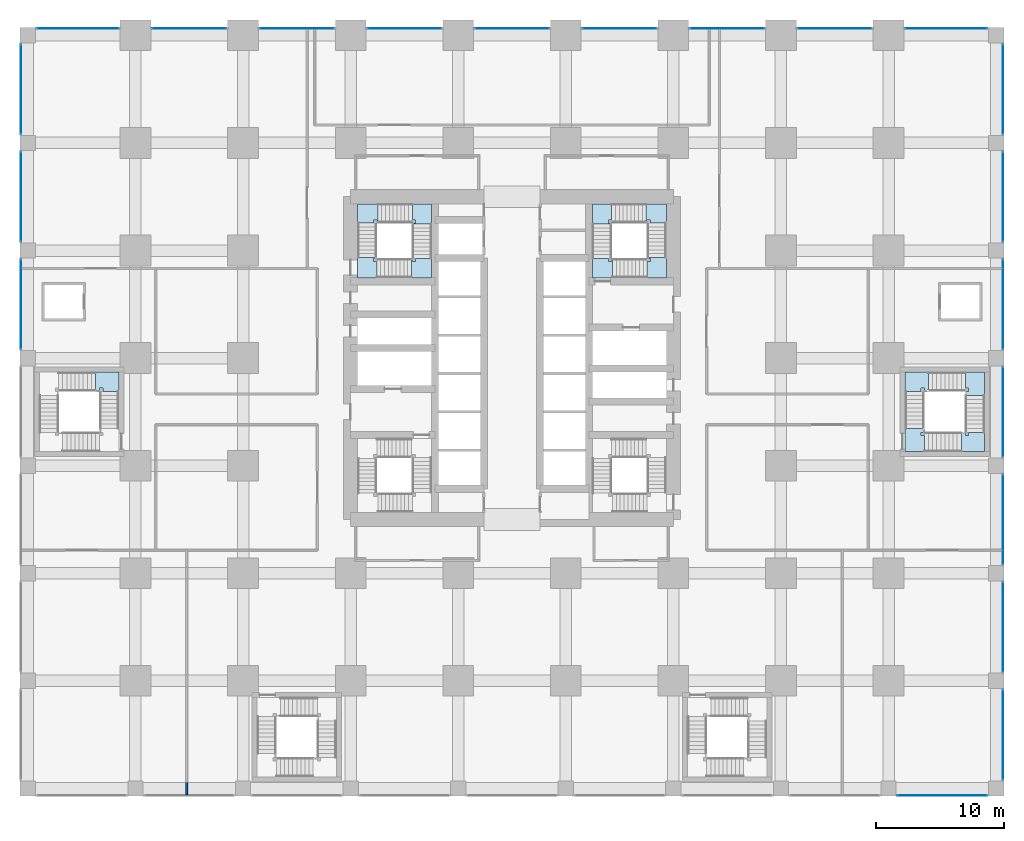
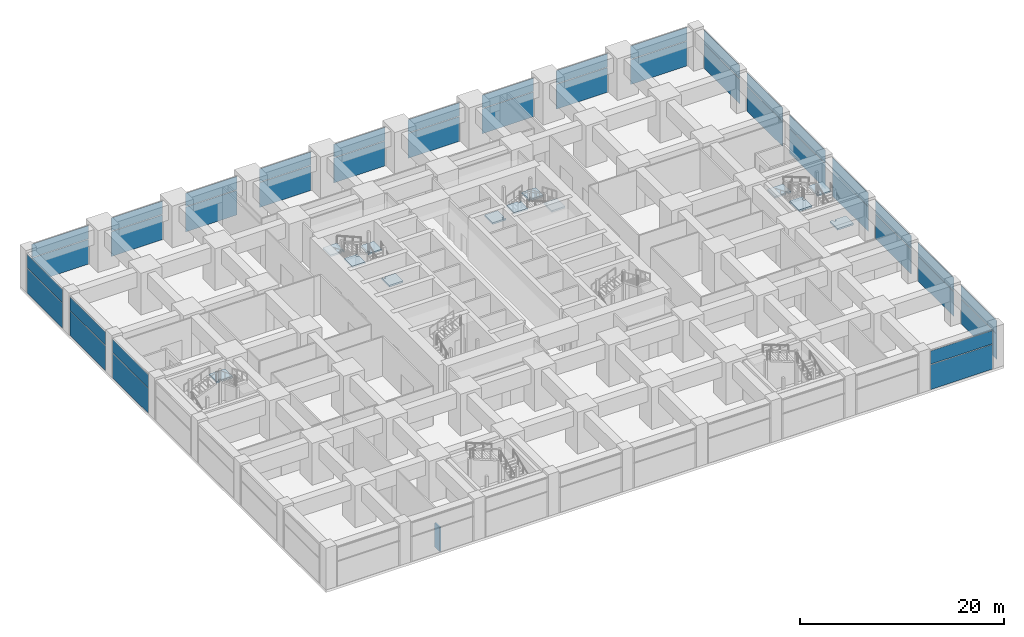
# One storey, part 35 of 49: 40 plates, 13 slabs, 1 wall, 24 elements without a shape of their own.
"""IFC4 building model written with IfcOpenShell, lengths in metres."""

from ifc_helpers import new_model, si_unit, direction, frame, frame_2d, origin, origin_2d, place, context, subcontext, project, spatial, polyline, rectangle, outline, extrude, material, layer, layer_set, type_object, element, aggregate, save


model = new_model("IFC4")

# Units and contexts
model_context = context("Model", 3, precision=1e-05, world=origin(), true_north=direction((0.0, 1.0)))
body_context = subcontext(model_context, "Body", "Model", "MODEL_VIEW")
ifc_project = project(units=[si_unit("LENGTHUNIT", "METRE"), si_unit("AREAUNIT", "SQUARE_METRE"), si_unit("VOLUMEUNIT", "CUBIC_METRE"), si_unit("PLANEANGLEUNIT", "RADIAN"), si_unit("MASSUNIT", "GRAM", prefix="KILO")], contexts=[model_context])

# Site, building, storey
site_placement = place(None, origin())
site = spatial("IfcSite", under=ifc_project, at=site_placement, CompositionType="ELEMENT")
building_placement = place(site_placement, origin())
building = spatial("IfcBuilding", under=site, at=building_placement, Name="Rekha Terrace Tower", CompositionType="ELEMENT")
storey_placement = place(building_placement, frame((0.0, 0.0, 10.39990234375)))
storey = spatial("IfcBuildingStorey", under=building, at=storey_placement, Name="L02", CompositionType="ELEMENT", Elevation=10.39990234375)

# Curtain wall, plates
ifc_material_1 = material(Name="Aluminium framing", Category="aluminium")
curtain_wall_type = type_object("IfcCurtainWallType", Name="CW4 podium shopfront glazing", PredefinedType="USERDEFINED", material=ifc_material_1)
curtain_wall_1_placement = place(storey_placement, origin())
curtain_wall_1 = element("IfcCurtainWall", 1, at=curtain_wall_1_placement, inside=storey, type_object=curtain_wall_type, Name="CW4 shopfront curtain wall", ObjectType="SHOPFRONT CURTAIN WALL", PredefinedType="USERDEFINED")
ifc_material_2 = material(Name="Laminated double-glazed unit 30", Category="glass")
ifc_layer_1 = layer(ifc_material_2, 0.030029296875)
ifc_layer_set_1 = layer_set([ifc_layer_1], Name="Laminated double-glazed unit 30")
plate_type = type_object("IfcPlateType", Name="CW4 jumbo vision panel, laminated double-glazed unit 30", PredefinedType="CURTAIN_PANEL", material=ifc_layer_set_1)
plate_1_placement = place(storey_placement, frame((71.39990234375, -0.5400390625, 0.000244140625), z_axis=(0.0, 0.0, 1.0), x_axis=(1.0, 0.0, 0.0)))
plate_1 = element("IfcPlate", 2, at=plate_1_placement, type_object=plate_type, Name="CW4 panel 1.1", PredefinedType="CURTAIN_PANEL", context=body_context, shape_type="SweptSolid", body=[
    extrude(rectangle(XDim=7.010009765625, YDim=0.030029296875, at=origin_2d()), origin(), (0.0, 0.0, 1.0), 2.96240234375),
])
plate_2_placement = place(storey_placement, frame((71.39990234375, -0.5400390625, 3.03759765625), z_axis=(0.0, 0.0, 1.0), x_axis=(1.0, 0.0, 0.0)))
plate_2 = element("IfcPlate", 3, at=plate_2_placement, type_object=plate_type, Name="CW4 panel 1.2", PredefinedType="CURTAIN_PANEL", context=body_context, shape_type="SweptSolid", body=[
    extrude(rectangle(XDim=7.010009765625, YDim=0.030029296875, at=origin_2d()), origin(), (0.0, 0.0, 1.0), 1.58740234375),
])
aggregate(curtain_wall_1, [plate_1, plate_2])

curtain_wall_2_placement = place(storey_placement, origin())
curtain_wall_2 = element("IfcCurtainWall", 4, at=curtain_wall_2_placement, inside=storey, type_object=curtain_wall_type, Name="CW4 shopfront curtain wall", ObjectType="SHOPFRONT CURTAIN WALL", PredefinedType="USERDEFINED")
plate_3_placement = place(storey_placement, frame((76.139892578125, 4.199951171875, 0.000244140625), z_axis=(0.0, 0.0, 1.0), x_axis=(0.0, 1.0, 0.0)))
plate_3 = element("IfcPlate", 5, at=plate_3_placement, type_object=plate_type, Name="CW4 panel 1.1", PredefinedType="CURTAIN_PANEL", context=body_context, shape_type="SweptSolid", body=[
    extrude(rectangle(XDim=7.010009765625, YDim=0.030029296875, at=origin_2d()), origin(), (0.0, 0.0, 1.0), 2.96240234375),
])
plate_4_placement = place(storey_placement, frame((76.139892578125, 4.199951171875, 3.03759765625), z_axis=(0.0, 0.0, 1.0), x_axis=(0.0, 1.0, 0.0)))
plate_4 = element("IfcPlate", 6, at=plate_4_placement, type_object=plate_type, Name="CW4 panel 1.2", PredefinedType="CURTAIN_PANEL", context=body_context, shape_type="SweptSolid", body=[
    extrude(rectangle(XDim=7.010009765625, YDim=0.030029296875, at=origin_2d()), origin(), (0.0, 0.0, 1.0), 1.58740234375),
])
aggregate(curtain_wall_2, [plate_3, plate_4])

curtain_wall_3_placement = place(storey_placement, origin())
curtain_wall_3 = element("IfcCurtainWall", 7, at=curtain_wall_3_placement, inside=storey, type_object=curtain_wall_type, Name="CW4 shopfront curtain wall", ObjectType="SHOPFRONT CURTAIN WALL", PredefinedType="USERDEFINED")
plate_5_placement = place(storey_placement, frame((76.139892578125, 12.60009765625, 0.000244140625), z_axis=(0.0, 0.0, 1.0), x_axis=(0.0, 1.0, 0.0)))
plate_5 = element("IfcPlate", 8, at=plate_5_placement, type_object=plate_type, Name="CW4 panel 1.1", PredefinedType="CURTAIN_PANEL", context=body_context, shape_type="SweptSolid", body=[
    extrude(rectangle(XDim=7.010009765625, YDim=0.030029296875, at=origin_2d()), origin(), (0.0, 0.0, 1.0), 2.96240234375),
])
plate_6_placement = place(storey_placement, frame((76.139892578125, 12.60009765625, 3.03759765625), z_axis=(0.0, 0.0, 1.0), x_axis=(0.0, 1.0, 0.0)))
plate_6 = element("IfcPlate", 9, at=plate_6_placement, type_object=plate_type, Name="CW4 panel 1.2", PredefinedType="CURTAIN_PANEL", context=body_context, shape_type="SweptSolid", body=[
    extrude(rectangle(XDim=7.010009765625, YDim=0.030029296875, at=origin_2d()), origin(), (0.0, 0.0, 1.0), 1.58740234375),
])
aggregate(curtain_wall_3, [plate_5, plate_6])

curtain_wall_4_placement = place(storey_placement, origin())
curtain_wall_4 = element("IfcCurtainWall", 10, at=curtain_wall_4_placement, inside=storey, type_object=curtain_wall_type, Name="CW4 shopfront curtain wall", ObjectType="SHOPFRONT CURTAIN WALL", PredefinedType="USERDEFINED")
plate_7_placement = place(storey_placement, frame((76.139892578125, 21.0, 0.000244140625), z_axis=(0.0, 0.0, 1.0), x_axis=(0.0, 1.0, 0.0)))
plate_7 = element("IfcPlate", 11, at=plate_7_placement, type_object=plate_type, Name="CW4 panel 1.1", PredefinedType="CURTAIN_PANEL", context=body_context, shape_type="SweptSolid", body=[
    extrude(rectangle(XDim=7.010009765625, YDim=0.030029296875, at=origin_2d()), origin(), (0.0, 0.0, 1.0), 2.96240234375),
])
plate_8_placement = place(storey_placement, frame((76.139892578125, 21.0, 3.03759765625), z_axis=(0.0, 0.0, 1.0), x_axis=(0.0, 1.0, 0.0)))
plate_8 = element("IfcPlate", 12, at=plate_8_placement, type_object=plate_type, Name="CW4 panel 1.2", PredefinedType="CURTAIN_PANEL", context=body_context, shape_type="SweptSolid", body=[
    extrude(rectangle(XDim=7.010009765625, YDim=0.030029296875, at=origin_2d()), origin(), (0.0, 0.0, 1.0), 1.58740234375),
])
aggregate(curtain_wall_4, [plate_7, plate_8])

curtain_wall_5_placement = place(storey_placement, origin())
curtain_wall_5 = element("IfcCurtainWall", 13, at=curtain_wall_5_placement, inside=storey, type_object=curtain_wall_type, Name="CW4 shopfront curtain wall", ObjectType="SHOPFRONT CURTAIN WALL", PredefinedType="USERDEFINED")
plate_9_placement = place(storey_placement, frame((76.139892578125, 29.39990234375, 0.000244140625), z_axis=(0.0, 0.0, 1.0), x_axis=(0.0, 1.0, 0.0)))
plate_9 = element("IfcPlate", 14, at=plate_9_placement, type_object=plate_type, Name="CW4 panel 1.1", PredefinedType="CURTAIN_PANEL", context=body_context, shape_type="SweptSolid", body=[
    extrude(rectangle(XDim=7.010009765625, YDim=0.030029296875, at=origin_2d()), origin(), (0.0, 0.0, 1.0), 2.96240234375),
])
plate_10_placement = place(storey_placement, frame((76.139892578125, 29.39990234375, 3.03759765625), z_axis=(0.0, 0.0, 1.0), x_axis=(0.0, 1.0, 0.0)))
plate_10 = element("IfcPlate", 15, at=plate_10_placement, type_object=plate_type, Name="CW4 panel 1.2", PredefinedType="CURTAIN_PANEL", context=body_context, shape_type="SweptSolid", body=[
    extrude(rectangle(XDim=7.010009765625, YDim=0.030029296875, at=origin_2d()), origin(), (0.0, 0.0, 1.0), 1.58740234375),
])
aggregate(curtain_wall_5, [plate_9, plate_10])

curtain_wall_6_placement = place(storey_placement, origin())
curtain_wall_6 = element("IfcCurtainWall", 16, at=curtain_wall_6_placement, inside=storey, type_object=curtain_wall_type, Name="CW4 shopfront curtain wall", ObjectType="SHOPFRONT CURTAIN WALL", PredefinedType="USERDEFINED")
plate_11_placement = place(storey_placement, frame((76.139892578125, 37.800048828125, 0.000244140625), z_axis=(0.0, 0.0, 1.0), x_axis=(0.0, 1.0, 0.0)))
plate_11 = element("IfcPlate", 17, at=plate_11_placement, type_object=plate_type, Name="CW4 panel 1.1", PredefinedType="CURTAIN_PANEL", context=body_context, shape_type="SweptSolid", body=[
    extrude(rectangle(XDim=7.010009765625, YDim=0.030029296875, at=origin_2d()), origin(), (0.0, 0.0, 1.0), 2.96240234375),
])
plate_12_placement = place(storey_placement, frame((76.139892578125, 37.800048828125, 3.03759765625), z_axis=(0.0, 0.0, 1.0), x_axis=(0.0, 1.0, 0.0)))
plate_12 = element("IfcPlate", 18, at=plate_12_placement, type_object=plate_type, Name="CW4 panel 1.2", PredefinedType="CURTAIN_PANEL", context=body_context, shape_type="SweptSolid", body=[
    extrude(rectangle(XDim=7.010009765625, YDim=0.030029296875, at=origin_2d()), origin(), (0.0, 0.0, 1.0), 1.58740234375),
])
aggregate(curtain_wall_6, [plate_11, plate_12])

curtain_wall_7_placement = place(storey_placement, origin())
curtain_wall_7 = element("IfcCurtainWall", 19, at=curtain_wall_7_placement, inside=storey, type_object=curtain_wall_type, Name="CW4 shopfront curtain wall", ObjectType="SHOPFRONT CURTAIN WALL", PredefinedType="USERDEFINED")
plate_13_placement = place(storey_placement, frame((76.139892578125, 46.199951171875, 0.000244140625), z_axis=(0.0, 0.0, 1.0), x_axis=(0.0, 1.0, 0.0)))
plate_13 = element("IfcPlate", 20, at=plate_13_placement, type_object=plate_type, Name="CW4 panel 1.1", PredefinedType="CURTAIN_PANEL", context=body_context, shape_type="SweptSolid", body=[
    extrude(rectangle(XDim=7.010009765625, YDim=0.030029296875, at=origin_2d()), origin(), (0.0, 0.0, 1.0), 2.96240234375),
])
plate_14_placement = place(storey_placement, frame((76.139892578125, 46.199951171875, 3.03759765625), z_axis=(0.0, 0.0, 1.0), x_axis=(0.0, 1.0, 0.0)))
plate_14 = element("IfcPlate", 21, at=plate_14_placement, type_object=plate_type, Name="CW4 panel 1.2", PredefinedType="CURTAIN_PANEL", context=body_context, shape_type="SweptSolid", body=[
    extrude(rectangle(XDim=7.010009765625, YDim=0.030029296875, at=origin_2d()), origin(), (0.0, 0.0, 1.0), 1.58740234375),
])
aggregate(curtain_wall_7, [plate_13, plate_14])

curtain_wall_8_placement = place(storey_placement, origin())
curtain_wall_8 = element("IfcCurtainWall", 22, at=curtain_wall_8_placement, inside=storey, type_object=curtain_wall_type, Name="CW4 shopfront curtain wall", ObjectType="SHOPFRONT CURTAIN WALL", PredefinedType="USERDEFINED")
plate_15_placement = place(storey_placement, frame((76.139892578125, 54.60009765625, 0.000244140625), z_axis=(0.0, 0.0, 1.0), x_axis=(0.0, 1.0, 0.0)))
plate_15 = element("IfcPlate", 23, at=plate_15_placement, type_object=plate_type, Name="CW4 panel 1.1", PredefinedType="CURTAIN_PANEL", context=body_context, shape_type="SweptSolid", body=[
    extrude(rectangle(XDim=7.010009765625, YDim=0.030029296875, at=origin_2d()), origin(), (0.0, 0.0, 1.0), 2.96240234375),
])
plate_16_placement = place(storey_placement, frame((76.139892578125, 54.60009765625, 3.03759765625), z_axis=(0.0, 0.0, 1.0), x_axis=(0.0, 1.0, 0.0)))
plate_16 = element("IfcPlate", 24, at=plate_16_placement, type_object=plate_type, Name="CW4 panel 1.2", PredefinedType="CURTAIN_PANEL", context=body_context, shape_type="SweptSolid", body=[
    extrude(rectangle(XDim=7.010009765625, YDim=0.030029296875, at=origin_2d()), origin(), (0.0, 0.0, 1.0), 1.58740234375),
])
aggregate(curtain_wall_8, [plate_15, plate_16])

curtain_wall_9_placement = place(storey_placement, origin())
curtain_wall_9 = element("IfcCurtainWall", 25, at=curtain_wall_9_placement, inside=storey, type_object=curtain_wall_type, Name="CW4 shopfront curtain wall", ObjectType="SHOPFRONT CURTAIN WALL", PredefinedType="USERDEFINED")
plate_17_placement = place(storey_placement, frame((71.699951171875, 59.340087890625, 0.000244140625), z_axis=(0.0, 0.0, 1.0), x_axis=(-1.0, 0.0, 0.0)))
plate_17 = element("IfcPlate", 26, at=plate_17_placement, type_object=plate_type, Name="CW4 panel 1.1", PredefinedType="CURTAIN_PANEL", context=body_context, shape_type="SweptSolid", body=[
    extrude(rectangle(XDim=6.409912109375, YDim=0.030029296875, at=origin_2d()), origin(), (0.0, 0.0, 1.0), 2.96240234375),
])
plate_18_placement = place(storey_placement, frame((71.699951171875, 59.340087890625, 3.03759765625), z_axis=(0.0, 0.0, 1.0), x_axis=(-1.0, 0.0, 0.0)))
plate_18 = element("IfcPlate", 27, at=plate_18_placement, type_object=plate_type, Name="CW4 panel 1.2", PredefinedType="CURTAIN_PANEL", context=body_context, shape_type="SweptSolid", body=[
    extrude(rectangle(XDim=6.409912109375, YDim=0.030029296875, at=origin_2d()), origin(), (0.0, 0.0, 1.0), 1.58740234375),
])
aggregate(curtain_wall_9, [plate_17, plate_18])

curtain_wall_10_placement = place(storey_placement, origin())
curtain_wall_10 = element("IfcCurtainWall", 28, at=curtain_wall_10_placement, inside=storey, type_object=curtain_wall_type, Name="CW4 shopfront curtain wall", ObjectType="SHOPFRONT CURTAIN WALL", PredefinedType="USERDEFINED")
plate_19_placement = place(storey_placement, frame((63.0, 59.340087890625, 0.000244140625), z_axis=(0.0, 0.0, 1.0), x_axis=(-1.0, 0.0, 0.0)))
plate_19 = element("IfcPlate", 29, at=plate_19_placement, type_object=plate_type, Name="CW4 panel 1.1", PredefinedType="CURTAIN_PANEL", context=body_context, shape_type="SweptSolid", body=[
    extrude(rectangle(XDim=5.81005859375, YDim=0.030029296875, at=origin_2d()), origin(), (0.0, 0.0, 1.0), 2.96240234375),
])
plate_20_placement = place(storey_placement, frame((63.0, 59.340087890625, 3.03759765625), z_axis=(0.0, 0.0, 1.0), x_axis=(-1.0, 0.0, 0.0)))
plate_20 = element("IfcPlate", 30, at=plate_20_placement, type_object=plate_type, Name="CW4 panel 1.2", PredefinedType="CURTAIN_PANEL", context=body_context, shape_type="SweptSolid", body=[
    extrude(rectangle(XDim=5.81005859375, YDim=0.030029296875, at=origin_2d()), origin(), (0.0, 0.0, 1.0), 1.58740234375),
])
aggregate(curtain_wall_10, [plate_19, plate_20])

curtain_wall_11_placement = place(storey_placement, origin())
curtain_wall_11 = element("IfcCurtainWall", 31, at=curtain_wall_11_placement, inside=storey, type_object=curtain_wall_type, Name="CW4 shopfront curtain wall", ObjectType="SHOPFRONT CURTAIN WALL", PredefinedType="USERDEFINED")
plate_21_placement = place(storey_placement, frame((54.60009765625, 59.340087890625, 0.000244140625), z_axis=(0.0, 0.0, 1.0), x_axis=(-1.0, 0.0, 0.0)))
plate_21 = element("IfcPlate", 32, at=plate_21_placement, type_object=plate_type, Name="CW4 panel 1.1", PredefinedType="CURTAIN_PANEL", context=body_context, shape_type="SweptSolid", body=[
    extrude(rectangle(XDim=5.81005859375, YDim=0.030029296875, at=origin_2d()), origin(), (0.0, 0.0, 1.0), 2.96240234375),
])
plate_22_placement = place(storey_placement, frame((54.60009765625, 59.340087890625, 3.03759765625), z_axis=(0.0, 0.0, 1.0), x_axis=(-1.0, 0.0, 0.0)))
plate_22 = element("IfcPlate", 33, at=plate_22_placement, type_object=plate_type, Name="CW4 panel 1.2", PredefinedType="CURTAIN_PANEL", context=body_context, shape_type="SweptSolid", body=[
    extrude(rectangle(XDim=5.81005859375, YDim=0.030029296875, at=origin_2d()), origin(), (0.0, 0.0, 1.0), 1.58740234375),
])
aggregate(curtain_wall_11, [plate_21, plate_22])

curtain_wall_12_placement = place(storey_placement, origin())
curtain_wall_12 = element("IfcCurtainWall", 34, at=curtain_wall_12_placement, inside=storey, type_object=curtain_wall_type, Name="CW4 shopfront curtain wall", ObjectType="SHOPFRONT CURTAIN WALL", PredefinedType="USERDEFINED")
plate_23_placement = place(storey_placement, frame((46.199951171875, 59.340087890625, 0.000244140625), z_axis=(0.0, 0.0, 1.0), x_axis=(-1.0, 0.0, 0.0)))
plate_23 = element("IfcPlate", 35, at=plate_23_placement, type_object=plate_type, Name="CW4 panel 1.1", PredefinedType="CURTAIN_PANEL", context=body_context, shape_type="SweptSolid", body=[
    extrude(rectangle(XDim=5.81005859375, YDim=0.030029296875, at=origin_2d()), origin(), (0.0, 0.0, 1.0), 2.96240234375),
])
plate_24_placement = place(storey_placement, frame((46.199951171875, 59.340087890625, 3.03759765625), z_axis=(0.0, 0.0, 1.0), x_axis=(-1.0, 0.0, 0.0)))
plate_24 = element("IfcPlate", 36, at=plate_24_placement, type_object=plate_type, Name="CW4 panel 1.2", PredefinedType="CURTAIN_PANEL", context=body_context, shape_type="SweptSolid", body=[
    extrude(rectangle(XDim=5.81005859375, YDim=0.030029296875, at=origin_2d()), origin(), (0.0, 0.0, 1.0), 1.58740234375),
])
aggregate(curtain_wall_12, [plate_23, plate_24])

curtain_wall_13_placement = place(storey_placement, origin())
curtain_wall_13 = element("IfcCurtainWall", 37, at=curtain_wall_13_placement, inside=storey, type_object=curtain_wall_type, Name="CW4 shopfront curtain wall", ObjectType="SHOPFRONT CURTAIN WALL", PredefinedType="USERDEFINED")
plate_25_placement = place(storey_placement, frame((37.800048828125, 59.340087890625, 0.000244140625), z_axis=(0.0, 0.0, 1.0), x_axis=(-1.0, 0.0, 0.0)))
plate_25 = element("IfcPlate", 38, at=plate_25_placement, type_object=plate_type, Name="CW4 panel 1.1", PredefinedType="CURTAIN_PANEL", context=body_context, shape_type="SweptSolid", body=[
    extrude(rectangle(XDim=5.81005859375, YDim=0.030029296875, at=origin_2d()), origin(), (0.0, 0.0, 1.0), 2.96240234375),
])
plate_26_placement = place(storey_placement, frame((37.800048828125, 59.340087890625, 3.03759765625), z_axis=(0.0, 0.0, 1.0), x_axis=(-1.0, 0.0, 0.0)))
plate_26 = element("IfcPlate", 39, at=plate_26_placement, type_object=plate_type, Name="CW4 panel 1.2", PredefinedType="CURTAIN_PANEL", context=body_context, shape_type="SweptSolid", body=[
    extrude(rectangle(XDim=5.81005859375, YDim=0.030029296875, at=origin_2d()), origin(), (0.0, 0.0, 1.0), 1.58740234375),
])
aggregate(curtain_wall_13, [plate_25, plate_26])

curtain_wall_14_placement = place(storey_placement, origin())
curtain_wall_14 = element("IfcCurtainWall", 40, at=curtain_wall_14_placement, inside=storey, type_object=curtain_wall_type, Name="CW4 shopfront curtain wall", ObjectType="SHOPFRONT CURTAIN WALL", PredefinedType="USERDEFINED")
plate_27_placement = place(storey_placement, frame((29.39990234375, 59.340087890625, 0.000244140625), z_axis=(0.0, 0.0, 1.0), x_axis=(-1.0, 0.0, 0.0)))
plate_27 = element("IfcPlate", 41, at=plate_27_placement, type_object=plate_type, Name="CW4 panel 1.1", PredefinedType="CURTAIN_PANEL", context=body_context, shape_type="SweptSolid", body=[
    extrude(rectangle(XDim=5.81005859375, YDim=0.030029296875, at=origin_2d()), origin(), (0.0, 0.0, 1.0), 2.96240234375),
])
plate_28_placement = place(storey_placement, frame((29.39990234375, 59.340087890625, 3.03759765625), z_axis=(0.0, 0.0, 1.0), x_axis=(-1.0, 0.0, 0.0)))
plate_28 = element("IfcPlate", 42, at=plate_28_placement, type_object=plate_type, Name="CW4 panel 1.2", PredefinedType="CURTAIN_PANEL", context=body_context, shape_type="SweptSolid", body=[
    extrude(rectangle(XDim=5.81005859375, YDim=0.030029296875, at=origin_2d()), origin(), (0.0, 0.0, 1.0), 1.58740234375),
])
aggregate(curtain_wall_14, [plate_27, plate_28])

curtain_wall_15_placement = place(storey_placement, origin())
curtain_wall_15 = element("IfcCurtainWall", 43, at=curtain_wall_15_placement, inside=storey, type_object=curtain_wall_type, Name="CW4 shopfront curtain wall", ObjectType="SHOPFRONT CURTAIN WALL", PredefinedType="USERDEFINED")
plate_29_placement = place(storey_placement, frame((21.0, 59.340087890625, 0.000244140625), z_axis=(0.0, 0.0, 1.0), x_axis=(-1.0, 0.0, 0.0)))
plate_29 = element("IfcPlate", 44, at=plate_29_placement, type_object=plate_type, Name="CW4 panel 1.1", PredefinedType="CURTAIN_PANEL", context=body_context, shape_type="SweptSolid", body=[
    extrude(rectangle(XDim=5.81005859375, YDim=0.030029296875, at=origin_2d()), origin(), (0.0, 0.0, 1.0), 2.96240234375),
])
plate_30_placement = place(storey_placement, frame((21.0, 59.340087890625, 3.03759765625), z_axis=(0.0, 0.0, 1.0), x_axis=(-1.0, 0.0, 0.0)))
plate_30 = element("IfcPlate", 45, at=plate_30_placement, type_object=plate_type, Name="CW4 panel 1.2", PredefinedType="CURTAIN_PANEL", context=body_context, shape_type="SweptSolid", body=[
    extrude(rectangle(XDim=5.81005859375, YDim=0.030029296875, at=origin_2d()), origin(), (0.0, 0.0, 1.0), 1.58740234375),
])
aggregate(curtain_wall_15, [plate_29, plate_30])

curtain_wall_16_placement = place(storey_placement, origin())
curtain_wall_16 = element("IfcCurtainWall", 46, at=curtain_wall_16_placement, inside=storey, type_object=curtain_wall_type, Name="CW4 shopfront curtain wall", ObjectType="SHOPFRONT CURTAIN WALL", PredefinedType="USERDEFINED")
plate_31_placement = place(storey_placement, frame((12.60009765625, 59.340087890625, 0.000244140625), z_axis=(0.0, 0.0, 1.0), x_axis=(-1.0, 0.0, 0.0)))
plate_31 = element("IfcPlate", 47, at=plate_31_placement, type_object=plate_type, Name="CW4 panel 1.1", PredefinedType="CURTAIN_PANEL", context=body_context, shape_type="SweptSolid", body=[
    extrude(rectangle(XDim=5.81005859375, YDim=0.030029296875, at=origin_2d()), origin(), (0.0, 0.0, 1.0), 2.96240234375),
])
plate_32_placement = place(storey_placement, frame((12.60009765625, 59.340087890625, 3.03759765625), z_axis=(0.0, 0.0, 1.0), x_axis=(-1.0, 0.0, 0.0)))
plate_32 = element("IfcPlate", 48, at=plate_32_placement, type_object=plate_type, Name="CW4 panel 1.2", PredefinedType="CURTAIN_PANEL", context=body_context, shape_type="SweptSolid", body=[
    extrude(rectangle(XDim=5.81005859375, YDim=0.030029296875, at=origin_2d()), origin(), (0.0, 0.0, 1.0), 1.58740234375),
])
aggregate(curtain_wall_16, [plate_31, plate_32])

curtain_wall_17_placement = place(storey_placement, origin())
curtain_wall_17 = element("IfcCurtainWall", 49, at=curtain_wall_17_placement, inside=storey, type_object=curtain_wall_type, Name="CW4 shopfront curtain wall", ObjectType="SHOPFRONT CURTAIN WALL", PredefinedType="USERDEFINED")
plate_33_placement = place(storey_placement, frame((3.89990234375, 59.340087890625, 0.000244140625), z_axis=(0.0, 0.0, 1.0), x_axis=(-1.0, 0.0, 0.0)))
plate_33 = element("IfcPlate", 50, at=plate_33_placement, type_object=plate_type, Name="CW4 panel 1.1", PredefinedType="CURTAIN_PANEL", context=body_context, shape_type="SweptSolid", body=[
    extrude(rectangle(XDim=6.409912109375, YDim=0.030029296875, at=origin_2d()), origin(), (0.0, 0.0, 1.0), 2.96240234375),
])
plate_34_placement = place(storey_placement, frame((3.89990234375, 59.340087890625, 3.03759765625), z_axis=(0.0, 0.0, 1.0), x_axis=(-1.0, 0.0, 0.0)))
plate_34 = element("IfcPlate", 51, at=plate_34_placement, type_object=plate_type, Name="CW4 panel 1.2", PredefinedType="CURTAIN_PANEL", context=body_context, shape_type="SweptSolid", body=[
    extrude(rectangle(XDim=6.409912109375, YDim=0.030029296875, at=origin_2d()), origin(), (0.0, 0.0, 1.0), 1.58740234375),
])
aggregate(curtain_wall_17, [plate_33, plate_34])

curtain_wall_18_placement = place(storey_placement, origin())
curtain_wall_18 = element("IfcCurtainWall", 52, at=curtain_wall_18_placement, inside=storey, type_object=curtain_wall_type, Name="CW4 shopfront curtain wall", ObjectType="SHOPFRONT CURTAIN WALL", PredefinedType="USERDEFINED")
plate_35_placement = place(storey_placement, frame((-0.5400390625, 54.60009765625, 0.000244140625), z_axis=(0.0, 0.0, 1.0), x_axis=(0.0, -1.0, 0.0)))
plate_35 = element("IfcPlate", 53, at=plate_35_placement, type_object=plate_type, Name="CW4 panel 1.1", PredefinedType="CURTAIN_PANEL", context=body_context, shape_type="SweptSolid", body=[
    extrude(rectangle(XDim=7.010009765625, YDim=0.030029296875, at=origin_2d()), origin(), (0.0, 0.0, 1.0), 2.96240234375),
])
plate_36_placement = place(storey_placement, frame((-0.5400390625, 54.60009765625, 3.03759765625), z_axis=(0.0, 0.0, 1.0), x_axis=(0.0, -1.0, 0.0)))
plate_36 = element("IfcPlate", 54, at=plate_36_placement, type_object=plate_type, Name="CW4 panel 1.2", PredefinedType="CURTAIN_PANEL", context=body_context, shape_type="SweptSolid", body=[
    extrude(rectangle(XDim=7.010009765625, YDim=0.030029296875, at=origin_2d()), origin(), (0.0, 0.0, 1.0), 1.58740234375),
])
aggregate(curtain_wall_18, [plate_35, plate_36])

curtain_wall_19_placement = place(storey_placement, origin())
curtain_wall_19 = element("IfcCurtainWall", 55, at=curtain_wall_19_placement, inside=storey, type_object=curtain_wall_type, Name="CW4 shopfront curtain wall", ObjectType="SHOPFRONT CURTAIN WALL", PredefinedType="USERDEFINED")
plate_37_placement = place(storey_placement, frame((-0.5400390625, 46.199951171875, 0.000244140625), z_axis=(0.0, 0.0, 1.0), x_axis=(0.0, -1.0, 0.0)))
plate_37 = element("IfcPlate", 56, at=plate_37_placement, type_object=plate_type, Name="CW4 panel 1.1", PredefinedType="CURTAIN_PANEL", context=body_context, shape_type="SweptSolid", body=[
    extrude(rectangle(XDim=7.010009765625, YDim=0.030029296875, at=origin_2d()), origin(), (0.0, 0.0, 1.0), 2.96240234375),
])
plate_38_placement = place(storey_placement, frame((-0.5400390625, 46.199951171875, 3.03759765625), z_axis=(0.0, 0.0, 1.0), x_axis=(0.0, -1.0, 0.0)))
plate_38 = element("IfcPlate", 57, at=plate_38_placement, type_object=plate_type, Name="CW4 panel 1.2", PredefinedType="CURTAIN_PANEL", context=body_context, shape_type="SweptSolid", body=[
    extrude(rectangle(XDim=7.010009765625, YDim=0.030029296875, at=origin_2d()), origin(), (0.0, 0.0, 1.0), 1.58740234375),
])
aggregate(curtain_wall_19, [plate_37, plate_38])

curtain_wall_20_placement = place(storey_placement, origin())
curtain_wall_20 = element("IfcCurtainWall", 58, at=curtain_wall_20_placement, inside=storey, type_object=curtain_wall_type, Name="CW4 shopfront curtain wall", ObjectType="SHOPFRONT CURTAIN WALL", PredefinedType="USERDEFINED")
plate_39_placement = place(storey_placement, frame((-0.5400390625, 37.800048828125, 0.000244140625), z_axis=(0.0, 0.0, 1.0), x_axis=(0.0, -1.0, 0.0)))
plate_39 = element("IfcPlate", 59, at=plate_39_placement, type_object=plate_type, Name="CW4 panel 1.1", PredefinedType="CURTAIN_PANEL", context=body_context, shape_type="SweptSolid", body=[
    extrude(rectangle(XDim=7.010009765625, YDim=0.030029296875, at=origin_2d()), origin(), (0.0, 0.0, 1.0), 2.96240234375),
])
plate_40_placement = place(storey_placement, frame((-0.5400390625, 37.800048828125, 3.03759765625), z_axis=(0.0, 0.0, 1.0), x_axis=(0.0, -1.0, 0.0)))
plate_40 = element("IfcPlate", 60, at=plate_40_placement, type_object=plate_type, Name="CW4 panel 1.2", PredefinedType="CURTAIN_PANEL", context=body_context, shape_type="SweptSolid", body=[
    extrude(rectangle(XDim=7.010009765625, YDim=0.030029296875, at=origin_2d()), origin(), (0.0, 0.0, 1.0), 1.58740234375),
])
aggregate(curtain_wall_20, [plate_39, plate_40])

# Stair, slab
ifc_material_3 = material(Name="Concrete M40", Category="concrete")
stair_type_1 = type_object("IfcStairType", Name="ST40 stair, 40 risers of 125, going 320, 1500 wide flights, 4 flights", PredefinedType="QUARTER_TURN_STAIR", material=ifc_material_3)
stair_1_placement = place(storey_placement, origin())
stair_1 = element("IfcStair", 61, at=stair_1_placement, inside=storey, type_object=stair_type_1, Name="Stair SP1 L02 to L03", PredefinedType="QUARTER_TURN_STAIR")
ifc_layer_2 = layer(ifc_material_3, 0.199951171875)
ifc_layer_set_2 = layer_set([ifc_layer_2], Name="Concrete M40")
slab_type = type_object("IfcSlabType", Name="LD1 200 concrete stair landing", PredefinedType="LANDING", material=ifc_layer_set_2)
slab_1_placement = place(storey_placement, frame((0.0, 0.0, 3.550048828125)))
slab_1 = element("IfcSlab", 62, at=slab_1_placement, type_object=slab_type, Name="SP1 landing 3", PredefinedType="LANDING", context=body_context, shape_type="SweptSolid", body=[
    extrude(outline(polyline([(7.10009765625, 31.0), (7.10009765625, 32.5), (5.280029296875, 32.5), (5.280029296875, 31.0), (5.60009765625, 31.0), (5.60009765625, 31.25), (5.85009765625, 31.25), (5.85009765625, 31.0), (7.10009765625, 31.0)])), origin(), (0.0, 0.0, 1.0), 0.199951171875),
])
aggregate(stair_1, [slab_1])

# Stair, slabs
stair_2_placement = place(storey_placement, origin())
stair_2 = element("IfcStair", 63, at=stair_2_placement, inside=storey, type_object=stair_type_1, Name="Stair SP2 L02 to L03", PredefinedType="QUARTER_TURN_STAIR")
slab_2_placement = place(storey_placement, frame((0.0, 0.0, 1.050048828125)))
slab_2 = element("IfcSlab", 64, at=slab_2_placement, type_object=slab_type, Name="SP2 landing 1", PredefinedType="LANDING", context=body_context, shape_type="SweptSolid", body=[
    extrude(outline(polyline([(74.699951171875, 27.800048828125), (74.699951171875, 26.300048828125), (72.8798828125, 26.300048828125), (72.8798828125, 27.800048828125), (73.199951171875, 27.800048828125), (73.199951171875, 27.550048828125), (73.449951171875, 27.550048828125), (73.449951171875, 27.800048828125), (74.699951171875, 27.800048828125)])), origin(), (0.0, 0.0, 1.0), 0.199951171875),
])
slab_3_placement = place(storey_placement, frame((0.0, 0.0, 2.300048828125)))
slab_3 = element("IfcSlab", 65, at=slab_3_placement, type_object=slab_type, Name="SP2 landing 2", PredefinedType="LANDING", context=body_context, shape_type="SweptSolid", body=[
    extrude(outline(polyline([(73.199951171875, 32.5), (74.699951171875, 32.5), (74.699951171875, 30.679931640625), (73.199951171875, 30.679931640625), (73.199951171875, 31.0), (73.449951171875, 31.0), (73.449951171875, 31.25), (73.199951171875, 31.25), (73.199951171875, 32.5)])), origin(), (0.0, 0.0, 1.0), 0.199951171875),
])
slab_4_placement = place(storey_placement, frame((0.0, 0.0, 3.550048828125)))
slab_4 = element("IfcSlab", 66, at=slab_4_placement, type_object=slab_type, Name="SP2 landing 3", PredefinedType="LANDING", context=body_context, shape_type="SweptSolid", body=[
    extrude(outline(polyline([(68.5, 31.0), (68.5, 32.5), (70.320068359375, 32.5), (70.320068359375, 31.0), (70.0, 31.0), (70.0, 31.25), (69.75, 31.25), (69.75, 31.0), (68.5, 31.0)])), origin(), (0.0, 0.0, 1.0), 0.199951171875),
])
slab_5_placement = place(storey_placement, frame((0.0, 0.0, 4.800048828125)))
slab_5 = element("IfcSlab", 67, at=slab_5_placement, type_object=slab_type, Name="SP2 landing 4", PredefinedType="LANDING", context=body_context, shape_type="SweptSolid", body=[
    extrude(outline(polyline([(70.0, 26.300048828125), (68.5, 26.300048828125), (68.5, 28.1201171875), (70.0, 28.1201171875), (70.0, 27.800048828125), (69.75, 27.800048828125), (69.75, 27.550048828125), (70.0, 27.550048828125), (70.0, 26.300048828125)])), origin(), (0.0, 0.0, 1.0), 0.199951171875),
])
aggregate(stair_2, [slab_2, slab_3, slab_4, slab_5])

stair_type_2 = type_object("IfcStairType", Name="ST40 stair, 40 risers of 125, going 300, 1500 wide flights, 4 flights", PredefinedType="QUARTER_TURN_STAIR", material=ifc_material_3)
stair_3_placement = place(storey_placement, origin())
stair_3 = element("IfcStair", 68, at=stair_3_placement, inside=storey, type_object=stair_type_2, Name="Stair ST2 L02 to L03", PredefinedType="QUARTER_TURN_STAIR")
slab_6_placement = place(storey_placement, frame((0.0, 0.0, 1.050048828125)))
slab_6 = element("IfcSlab", 69, at=slab_6_placement, type_object=slab_type, Name="ST2 landing 1", PredefinedType="LANDING", context=body_context, shape_type="SweptSolid", body=[
    extrude(outline(polyline([(45.574951171875, 45.64990234375), (44.074951171875, 45.64990234375), (44.074951171875, 44.074951171875), (45.574951171875, 44.074951171875), (45.574951171875, 44.14990234375), (45.324951171875, 44.14990234375), (45.324951171875, 44.39990234375), (45.574951171875, 44.39990234375), (45.574951171875, 45.64990234375)])), origin(), (0.0, 0.0, 1.0), 0.199951171875),
])
slab_7_placement = place(storey_placement, frame((0.0, 0.0, 2.300048828125)))
slab_7 = element("IfcSlab", 70, at=slab_7_placement, type_object=slab_type, Name="ST2 landing 2", PredefinedType="LANDING", context=body_context, shape_type="SweptSolid", body=[
    extrude(outline(polyline([(49.85009765625, 44.14990234375), (49.85009765625, 45.64990234375), (48.27490234375, 45.64990234375), (48.27490234375, 44.14990234375), (48.35009765625, 44.14990234375), (48.35009765625, 44.39990234375), (48.60009765625, 44.39990234375), (48.60009765625, 44.14990234375), (49.85009765625, 44.14990234375)])), origin(), (0.0, 0.0, 1.0), 0.199951171875),
])
slab_8_placement = place(storey_placement, frame((0.0, 0.0, 3.550048828125)))
slab_8 = element("IfcSlab", 71, at=slab_8_placement, type_object=slab_type, Name="ST2 landing 3", PredefinedType="LANDING", context=body_context, shape_type="SweptSolid", body=[
    extrude(outline(polyline([(48.35009765625, 39.875), (49.85009765625, 39.875), (49.85009765625, 41.449951171875), (48.35009765625, 41.449951171875), (48.35009765625, 41.375), (48.60009765625, 41.375), (48.60009765625, 41.125), (48.35009765625, 41.125), (48.35009765625, 39.875)])), origin(), (0.0, 0.0, 1.0), 0.199951171875),
])
slab_9_placement = place(storey_placement, frame((0.0, 0.0, 4.800048828125)))
slab_9 = element("IfcSlab", 72, at=slab_9_placement, type_object=slab_type, Name="ST2 landing 4", PredefinedType="LANDING", context=body_context, shape_type="SweptSolid", body=[
    extrude(outline(polyline([(44.074951171875, 41.375), (44.074951171875, 39.875), (45.64990234375, 39.875), (45.64990234375, 41.375), (45.574951171875, 41.375), (45.574951171875, 41.125), (45.324951171875, 41.125), (45.324951171875, 41.375), (44.074951171875, 41.375)])), origin(), (0.0, 0.0, 1.0), 0.199951171875),
])
aggregate(stair_3, [slab_6, slab_7, slab_8, slab_9])

stair_4_placement = place(storey_placement, origin())
stair_4 = element("IfcStair", 73, at=stair_4_placement, inside=storey, type_object=stair_type_2, Name="Stair ST4 L02 to L03", PredefinedType="QUARTER_TURN_STAIR")
slab_10_placement = place(storey_placement, frame((0.0, 0.0, 1.050048828125)))
slab_10 = element("IfcSlab", 74, at=slab_10_placement, type_object=slab_type, Name="ST4 landing 1", PredefinedType="LANDING", context=body_context, shape_type="SweptSolid", body=[
    extrude(outline(polyline([(31.52490234375, 41.375), (31.52490234375, 39.875), (29.949951171875, 39.875), (29.949951171875, 41.375), (30.02490234375, 41.375), (30.02490234375, 41.125), (30.27490234375, 41.125), (30.27490234375, 41.375), (31.52490234375, 41.375)])), origin(), (0.0, 0.0, 1.0), 0.199951171875),
])
slab_11_placement = place(storey_placement, frame((0.0, 0.0, 2.300048828125)))
slab_11 = element("IfcSlab", 75, at=slab_11_placement, type_object=slab_type, Name="ST4 landing 2", PredefinedType="LANDING", context=body_context, shape_type="SweptSolid", body=[
    extrude(outline(polyline([(30.02490234375, 45.64990234375), (31.52490234375, 45.64990234375), (31.52490234375, 44.074951171875), (30.02490234375, 44.074951171875), (30.02490234375, 44.14990234375), (30.27490234375, 44.14990234375), (30.27490234375, 44.39990234375), (30.02490234375, 44.39990234375), (30.02490234375, 45.64990234375)])), origin(), (0.0, 0.0, 1.0), 0.199951171875),
])
slab_12_placement = place(storey_placement, frame((0.0, 0.0, 3.550048828125)))
slab_12 = element("IfcSlab", 76, at=slab_12_placement, type_object=slab_type, Name="ST4 landing 3", PredefinedType="LANDING", context=body_context, shape_type="SweptSolid", body=[
    extrude(outline(polyline([(25.75, 44.14990234375), (25.75, 45.64990234375), (27.324951171875, 45.64990234375), (27.324951171875, 44.14990234375), (27.25, 44.14990234375), (27.25, 44.39990234375), (27.0, 44.39990234375), (27.0, 44.14990234375), (25.75, 44.14990234375)])), origin(), (0.0, 0.0, 1.0), 0.199951171875),
])
slab_13_placement = place(storey_placement, frame((0.0, 0.0, 4.800048828125)))
slab_13 = element("IfcSlab", 77, at=slab_13_placement, type_object=slab_type, Name="ST4 landing 4", PredefinedType="LANDING", context=body_context, shape_type="SweptSolid", body=[
    extrude(outline(polyline([(27.25, 39.875), (25.75, 39.875), (25.75, 41.449951171875), (27.25, 41.449951171875), (27.25, 41.375), (27.0, 41.375), (27.0, 41.125), (27.25, 41.125), (27.25, 39.875)])), origin(), (0.0, 0.0, 1.0), 0.199951171875),
])
aggregate(stair_4, [slab_10, slab_11, slab_12, slab_13])

# Wall
ifc_material_4 = material(Name="Concrete block masonry, 1 hour", Category="masonry")
ifc_layer_3 = layer(ifc_material_4, 0.14990234375)
ifc_layer_set_3 = layer_set([ifc_layer_3], Name="Concrete block masonry, 1 hour")
wall_type = type_object("IfcWallType", Name="WP2 150 tenancy partition", PredefinedType="PARTITIONING", material=ifc_layer_set_3)
wall_placement = place(storey_placement, frame((12.39990234375, 0.4599609375, 0.0), z_axis=(0.0, 0.0, 1.0), x_axis=(0.0, -1.0, 0.0)))
element("IfcWall", 78, at=wall_placement, inside=storey, type_object=wall_type, Name="Partition L02-04", PredefinedType="PARTITIONING", context=body_context, shape_type="SweptSolid", body=[
    extrude(rectangle(XDim=0.949951171875, YDim=0.14990234375, at=frame_2d((0.47509765625, 0.0))), origin(), (0.0, 0.0, 1.0), 2.900146484375),
])

save(model, "model.ifc")
